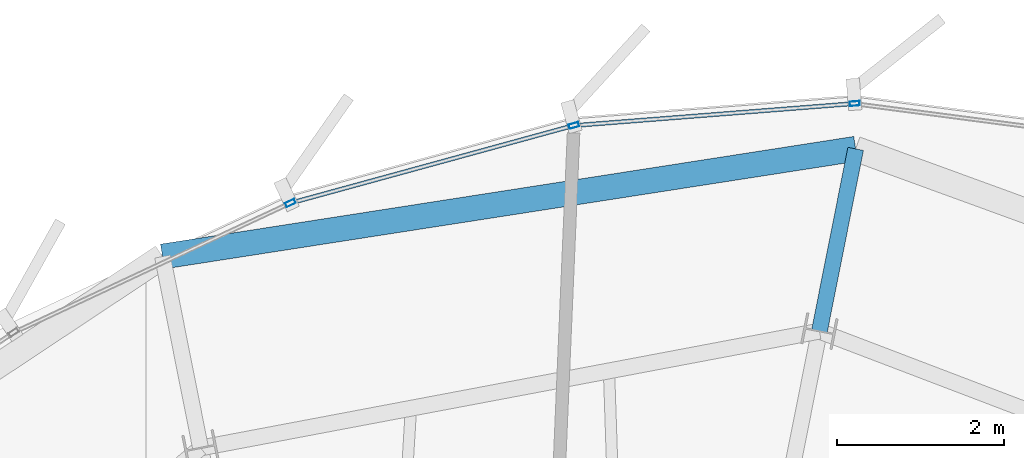
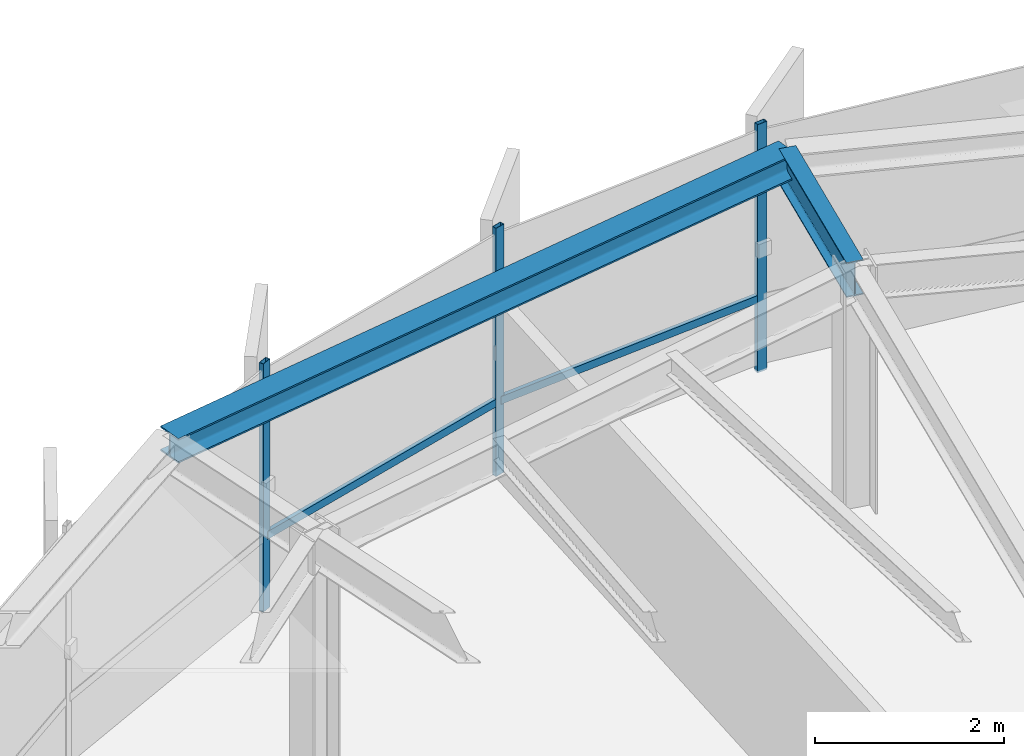
# One storey, part 21 of 31: 5 members, 2 beams, 1 element without a shape of its own.
"""IFC4 building model written with IfcOpenShell, lengths in metres."""

from ifc_helpers import new_model, si_unit, direction, frame, origin, origin_2d, place, context, subcontext, project, spatial, hollow_rectangle, i_section, extrude, source, transform, mapped, material, layer, layer_set, material_profile, profile_set, type_object, element, aggregate, save


model = new_model("IFC4")

# Units and contexts
model_context = context("Model", 3, precision=1e-05, world=origin(), true_north=direction((0.0, 1.0)))
body_context = subcontext(model_context, "Body", "Model", "MODEL_VIEW")
ifc_project = project(units=[si_unit("LENGTHUNIT", "METRE"), si_unit("AREAUNIT", "SQUARE_METRE"), si_unit("VOLUMEUNIT", "CUBIC_METRE"), si_unit("PLANEANGLEUNIT", "RADIAN"), si_unit("MASSUNIT", "GRAM", prefix="KILO"), si_unit("THERMODYNAMICTEMPERATUREUNIT", "KELVIN")], contexts=[model_context])

# Site, building, storey
site_placement = place(None, origin())
site = spatial("IfcSite", under=ifc_project, at=site_placement, CompositionType="ELEMENT")
building_placement = place(site_placement, origin())
building = spatial("IfcBuilding", under=site, at=building_placement, Name="Kethvar Cultural Tower", CompositionType="ELEMENT")
storey_placement = place(building_placement, frame((0.0, 0.0, 287.050048828125)))
storey = spatial("IfcBuildingStorey", under=building, at=storey_placement, Name="L76", CompositionType="ELEMENT", Elevation=287.050048828125)

# Beams
ifc_material_1 = material(Name="Steel S355J2", Category="steel")
ifc_material_profile_1 = material_profile(ifc_material_1, i_section(OverallWidth=0.18994140625, OverallDepth=0.449951171875, WebThickness=0.009521484375, FlangeThickness=0.0146484375, FilletRadius=0.02099609375, at=origin_2d()), Name="Steel S355J2 — IPE450")
ifc_profile_set_1 = profile_set([ifc_material_profile_1], Name="Steel S355J2 — IPE450")
beam_type_1 = type_object("IfcBeamType", Name="BM-IPE450", PredefinedType="BEAM", material=ifc_profile_set_1)
shared_shape_1 = source(origin(), body_context, "Body", "SweptSolid", [
    extrude(i_section(OverallWidth=0.18994140625, OverallDepth=0.449951171875, WebThickness=0.009521484375, FlangeThickness=0.0146484375, FilletRadius=0.02099609375, at=origin_2d()), origin(), (0.0, 0.0, 1.0), 2.226318359375),
])
beam_1_placement = place(storey_placement, frame((50.645263671875, 47.131591796875, 2.98291015625), z_axis=(0.195082704533, 0.980786795584, 0.0), x_axis=(-0.980786795584, 0.195082704533, 0.0)))
element("IfcBeam", 1, at=beam_1_placement, inside=storey, type_object=beam_type_1, Name="L76 Perimeter Cantilever Beam RC-04", PredefinedType="BEAM", context=body_context, shape_type="MappedRepresentation", body=[
    mapped(shared_shape_1, transform((0.0, 0.0, 0.0), scale=1.0)),
])
ifc_material_profile_2 = material_profile(ifc_material_1, i_section(OverallWidth=0.300048828125, OverallDepth=0.320068359375, WebThickness=0.011474609375, FlangeThickness=0.0205078125, FilletRadius=0.027099609375, at=origin_2d()), Name="Steel S355J2 — HEB320")
ifc_profile_set_2 = profile_set([ifc_material_profile_2], Name="Steel S355J2 — HEB320")
beam_type_2 = type_object("IfcBeamType", Name="BM-SP320", PredefinedType="SPANDREL", material=ifc_profile_set_2)
shared_shape_2 = source(origin(), body_context, "Body", "SweptSolid", [
    extrude(i_section(OverallWidth=0.300048828125, OverallDepth=0.320068359375, WebThickness=0.011474609375, FlangeThickness=0.0205078125, FilletRadius=0.027099609375, at=origin_2d()), origin(), (0.0, 0.0, 1.0), 8.40234375),
])
beam_2_placement = place(storey_placement, frame((51.07958984375, 49.315185546875, 3.0478515625), z_axis=(-0.988152335297, -0.153476259558, 0.0), x_axis=(0.153476259558, -0.988152335297, 0.0)))
element("IfcBeam", 2, at=beam_2_placement, inside=storey, type_object=beam_type_2, Name="L76 Perimeter Spandrel Beam SP-04", PredefinedType="SPANDREL", context=body_context, shape_type="MappedRepresentation", body=[
    mapped(shared_shape_2, transform((0.0, 0.0, 0.0), scale=1.0)),
])

# Curtain wall, members
ifc_material_2 = material(Name="Aluminium 6063-T6", Category="aluminium")
ifc_layer = layer(ifc_material_2, 0.179931640625, Name="Aluminium 6063-T6", Category="aluminium")
ifc_layer_set = layer_set([ifc_layer], Name="Aluminium 6063-T6 (180 mm)")
curtain_wall_type = type_object("IfcCurtainWallType", Name="CW-SYS-05-Z56", PredefinedType="NOTDEFINED", material=ifc_layer_set)
curtain_wall_placement = place(storey_placement, origin())
curtain_wall = element("IfcCurtainWall", 3, at=curtain_wall_placement, inside=storey, type_object=curtain_wall_type, Name="L76 Curtain Wall Run 01", PredefinedType="NOTDEFINED")
ifc_material_profile_3 = material_profile(ifc_material_2, hollow_rectangle(XDim=0.054931640625, YDim=0.1201171875, WallThickness=0.00390625, at=origin_2d()), Name="Aluminium 6063-T6 — RHS120x55x4")
ifc_profile_set_3 = profile_set([ifc_material_profile_3], Name="Aluminium 6063-T6 — RHS120x55x4")
member_type_1 = type_object("IfcMemberType", Name="CW-SYS-05-Z56-MUL", PredefinedType="MULLION", material=ifc_profile_set_3)
shared_shape_3 = source(origin(), body_context, "Body", "SweptSolid", [
    extrude(hollow_rectangle(XDim=0.054931640625, YDim=0.1201171875, WallThickness=0.00390625, at=origin_2d()), origin(), (0.0, 0.0, 1.0), 3.2099609375),
])
member_1_placement = place(storey_placement, frame((51.068115234375, 49.85791015625, 0.0), z_axis=(0.0, 0.0, 1.0), x_axis=(0.07825030013, -0.996933744303, 0.0)))
member_1 = element("IfcMember", 4, at=member_1_placement, type_object=member_type_1, Name="CW-L76-R01 Mullion 3", PredefinedType="MULLION", context=body_context, shape_type="MappedRepresentation", body=[
    mapped(shared_shape_3, transform((0.0, 0.0, 0.0), scale=1.0)),
])
member_2_placement = place(storey_placement, frame((47.704345703125, 49.595703125, 0.0), z_axis=(0.0, 0.0, 1.0), x_axis=(0.264209727938, -0.964465250625, 0.0)))
member_2 = element("IfcMember", 5, at=member_2_placement, type_object=member_type_1, Name="CW-L76-R01 Mullion 4", PredefinedType="MULLION", context=body_context, shape_type="MappedRepresentation", body=[
    mapped(shared_shape_3, transform((0.0, 0.0, 0.0), scale=1.0)),
])
member_3_placement = place(storey_placement, frame((44.3095703125, 48.667236328125, 0.0), z_axis=(0.0, 0.0, 1.0), x_axis=(0.424152006692, -0.9055910088, 0.0)))
member_3 = element("IfcMember", 6, at=member_3_placement, type_object=member_type_1, Name="CW-L76-R01 Mullion 5", PredefinedType="MULLION", context=body_context, shape_type="MappedRepresentation", body=[
    mapped(shared_shape_3, transform((0.0, 0.0, 0.0), scale=1.0)),
])
ifc_material_profile_4 = material_profile(ifc_material_2, hollow_rectangle(XDim=0.050048828125, YDim=0.10009765625, WallThickness=0.00390625, at=origin_2d()), Name="Aluminium 6063-T6 — RHS100x50x4")
ifc_profile_set_4 = profile_set([ifc_material_profile_4], Name="Aluminium 6063-T6 — RHS100x50x4")
member_type_2 = type_object("IfcMemberType", Name="CW-SYS-05-Z56-TRN", PredefinedType="USERDEFINED", material=ifc_profile_set_4)
shared_shape_4 = source(origin(), body_context, "Body", "SweptSolid", [
    extrude(hollow_rectangle(XDim=0.050048828125, YDim=0.10009765625, WallThickness=0.00390625, at=origin_2d()), origin(), (0.0, 0.0, 1.0), 3.3134765625),
])
member_4_placement = place(storey_placement, frame((51.028564453125, 49.85498046875, 0.949951171875), z_axis=(-0.996933645848, -0.078251554463, 0.0), x_axis=(0.078251554463, -0.996933645848, 0.0)))
member_4 = element("IfcMember", 7, at=member_4_placement, type_object=member_type_2, Name="CW-L76-R01 Transom 3", ObjectType="TRANSOM", PredefinedType="USERDEFINED", context=body_context, shape_type="MappedRepresentation", body=[
    mapped(shared_shape_4, transform((0.0, 0.0, 0.0), scale=1.0)),
])
shared_shape_5 = source(origin(), body_context, "Body", "SweptSolid", [
    extrude(hollow_rectangle(XDim=0.050048828125, YDim=0.10009765625, WallThickness=0.00390625, at=origin_2d()), origin(), (0.0, 0.0, 1.0), 3.457275390625),
])
member_5_placement = place(storey_placement, frame((47.666259765625, 49.585205078125, 0.949951171875), z_axis=(-0.964474801899, -0.264174859709, 0.0), x_axis=(0.264174859709, -0.964474801899, 0.0)))
member_5 = element("IfcMember", 8, at=member_5_placement, type_object=member_type_2, Name="CW-L76-R01 Transom 4", ObjectType="TRANSOM", PredefinedType="USERDEFINED", context=body_context, shape_type="MappedRepresentation", body=[
    mapped(shared_shape_5, transform((0.0, 0.0, 0.0), scale=1.0)),
])
aggregate(curtain_wall, [member_1, member_2, member_3, member_4, member_5])

save(model, "model.ifc")
